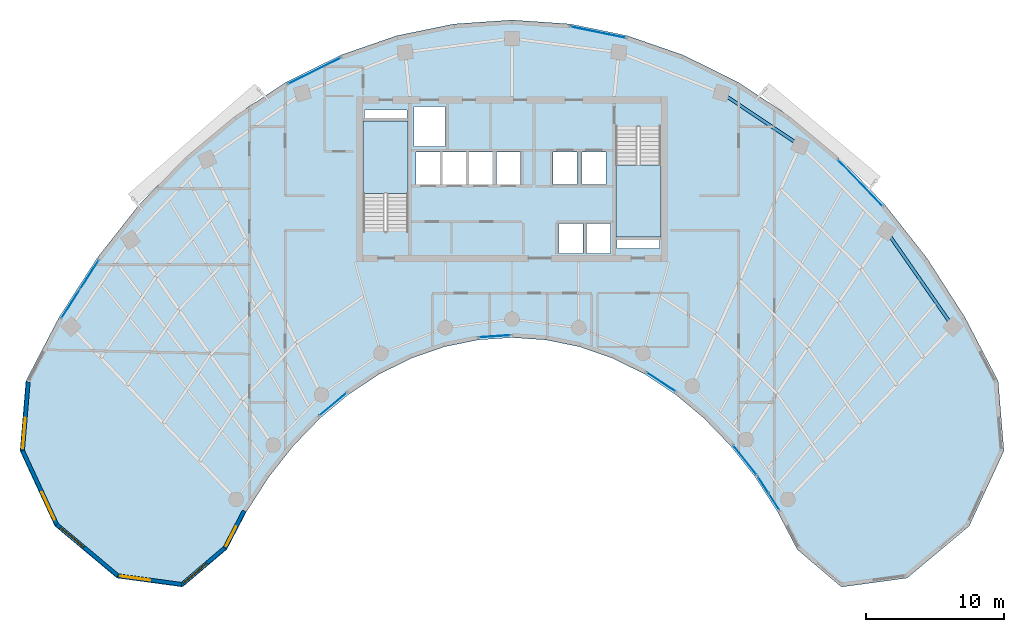
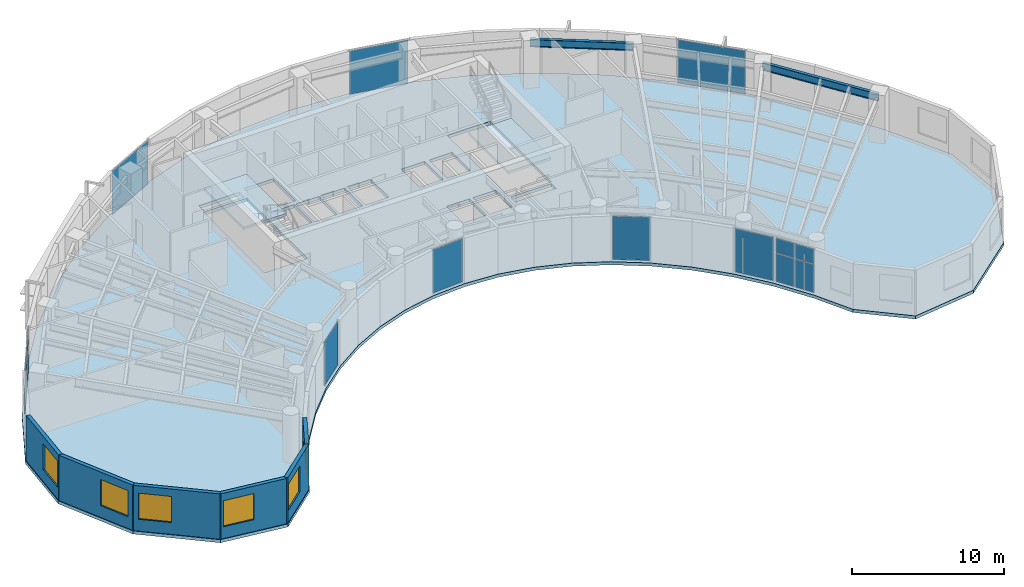
# One storey, part 6 of 13: 15 plates, 6 walls, 6 windows, 3 slabs, 2 beams, 6 openings, 11 elements without a shape of their own.
"""IFC4 building model written with IfcOpenShell, lengths in metres."""

import ifcopenshell
import ifcopenshell.guid

model = None  # the IFC model being written
_history = None  # IfcOwnerHistory: only IFC2X3 demands one
_inside = {}  # id of a spatial element -> (the spatial element, [elements in it])
_under = {}  # id of a project, library or spatial element -> (it, [spatial elements below it])
_declared = {}  # id of a project -> (the project, [libraries it declares])
_typed = {}  # id of a type object -> (the type object, [elements of that type])
_made_of = {}  # id of a material, layer set ... -> (it, [elements and type objects made of it])


def new_model(schema):
    """Start an empty IFC model of exactly this schema.

    Asked for "IFC4X3", IfcOpenShell would pick the latest addendum, in which some entities
    have other attributes; the version numbers below select the first issue.
    IFC2X3 requires an IfcOwnerHistory on every rooted entity: one is made here for all.
    """
    global model, _history
    if schema == "IFC4X3":
        model = ifcopenshell.file(schema_version=(4, 3, 0, 0))
    else:
        model = ifcopenshell.file(schema=schema)
    _inside.clear()
    _under.clear()
    _declared.clear()
    _typed.clear()
    _made_of.clear()
    _history = None
    if model.schema == "IFC2X3":
        org = make("IfcOrganization", Name="unknown")
        user = make(
            "IfcPersonAndOrganization",
            ThePerson=make("IfcPerson", FamilyName="unknown"),
            TheOrganization=org,
        )
        app = make(
            "IfcApplication",
            ApplicationDeveloper=org,
            Version="unknown",
            ApplicationFullName="unknown",
            ApplicationIdentifier="unknown",
        )
        _history = make(
            "IfcOwnerHistory",
            OwningUser=user,
            OwningApplication=app,
            ChangeAction="ADDED",
            CreationDate=0,
        )
    return model


def make(cls, **values):
    """One entity of the class cls with the attributes given. An attribute that is None is left unset."""
    return model.create_entity(
        cls, **{name: value for name, value in values.items() if value is not None}
    )


def rooted(cls, **values):
    """An entity with a GlobalId (a new one), such as an element, a storey or a relation."""
    return make(cls, GlobalId=ifcopenshell.guid.new(), OwnerHistory=_history, **values)


def si_unit(unit_type, name, prefix=None):
    """IfcSIUnit, for example si_unit("LENGTHUNIT", "METRE", prefix="MILLI")."""
    return make("IfcSIUnit", UnitType=unit_type, Prefix=prefix, Name=name)


def assignment(units):
    """IfcUnitAssignment: the units of a project."""
    return None if units is None else make("IfcUnitAssignment", Units=units)


def point(xyz):
    """IfcCartesianPoint."""
    return None if xyz is None else make("IfcCartesianPoint", Coordinates=xyz)


def direction(xyz):
    """IfcDirection."""
    return None if xyz is None else make("IfcDirection", DirectionRatios=xyz)


def frame(location, z_axis=None, x_axis=None):
    """IfcAxis2Placement3D, a coordinate frame: its origin and axes. An axis left out is left unset."""
    return make(
        "IfcAxis2Placement3D",
        Location=point(location),
        Axis=direction(z_axis),
        RefDirection=direction(x_axis),
    )


def frame_2d(location, x_axis=None):
    """IfcAxis2Placement2D, a coordinate frame in the plane: its origin and x axis."""
    return make(
        "IfcAxis2Placement2D", Location=point(location), RefDirection=direction(x_axis)
    )


def origin():
    """The frame at (0, 0, 0) with its axes left unset."""
    return frame((0.0, 0.0, 0.0))


def origin_2d():
    """The frame at (0, 0) in the plane with its x axis left unset."""
    return frame_2d((0.0, 0.0))


def place(relative_to, where):
    """IfcLocalPlacement: puts the frame where relative to a parent placement (None: the world)."""
    return make(
        "IfcLocalPlacement", PlacementRelTo=relative_to, RelativePlacement=where
    )


def context(
    kind, dimensions, precision=None, world=None, true_north=None, identifier=None
):
    """IfcGeometricRepresentationContext, for example the 3D "Model" context."""
    return make(
        "IfcGeometricRepresentationContext",
        ContextIdentifier=identifier,
        ContextType=kind,
        CoordinateSpaceDimension=dimensions,
        Precision=precision,
        WorldCoordinateSystem=world,
        TrueNorth=true_north,
    )


def subcontext(parent, identifier, kind, view, scale=None):
    """IfcGeometricRepresentationSubContext, for example "Body" below "Model"."""
    return make(
        "IfcGeometricRepresentationSubContext",
        ContextIdentifier=identifier,
        ContextType=kind,
        ParentContext=parent,
        TargetScale=scale,
        TargetView=view,
    )


def project(units=None, contexts=None):
    """IfcProject with its units and contexts."""
    return rooted(
        "IfcProject",
        Name="project",
        RepresentationContexts=contexts,
        UnitsInContext=assignment(units),
    )


def spatial(cls, under=None, at=None, **own):
    """A site, building, storey or space (cls), placed at a placement, below another one or the project."""
    s = rooted(cls, ObjectPlacement=at, **own)
    if under is not None:
        _under.setdefault(under.id(), (under, []))[1].append(s)
    return s


def polyline(points):
    """IfcPolyline through the points."""
    return make("IfcPolyline", Points=[point(p) for p in points])


def profile(cls, at=None, kind="AREA", **sizes):
    """A parametric profile (cls). Its sizes go by their IFC names, for example OverallWidth=200.0."""
    return make(cls, ProfileType=kind, Position=at, **sizes)


def rectangle(**sizes):
    """IfcRectangleProfileDef."""
    return profile("IfcRectangleProfileDef", **sizes)


def i_section(**sizes):
    """IfcIShapeProfileDef."""
    return profile("IfcIShapeProfileDef", **sizes)


def outline(outer, holes=None, kind="AREA"):
    """IfcArbitraryClosedProfileDef: a profile drawn as a closed curve; with holes, ...WithVoids."""
    if holes is None:
        return make("IfcArbitraryClosedProfileDef", ProfileType=kind, OuterCurve=outer)
    return make(
        "IfcArbitraryProfileDefWithVoids",
        ProfileType=kind,
        OuterCurve=outer,
        InnerCurves=holes,
    )


def extrude(swept, where, along, depth):
    """IfcExtrudedAreaSolid: the profile swept, set in the frame where, extruded along a direction by depth."""
    return make(
        "IfcExtrudedAreaSolid",
        SweptArea=swept,
        Position=where,
        ExtrudedDirection=direction(along),
        Depth=depth,
    )


def shape(context_of_items, identifier, shape_type, items):
    """IfcShapeRepresentation: the items that make up one representation, for example the "Body"."""
    return make(
        "IfcShapeRepresentation",
        ContextOfItems=context_of_items,
        RepresentationIdentifier=identifier,
        RepresentationType=shape_type,
        Items=items,
    )


def source(mapping_origin, context_of_items, identifier, shape_type, items):
    """IfcRepresentationMap: a shape defined once, which mapped items show again and again."""
    return make(
        "IfcRepresentationMap",
        MappingOrigin=mapping_origin,
        MappedRepresentation=shape(context_of_items, identifier, shape_type, items),
    )


def transform(
    local_origin,
    x_axis=None,
    y_axis=None,
    z_axis=None,
    scale=None,
    scale2=None,
    scale3=None,
    uniform=True,
):
    """IfcCartesianTransformationOperator3D, or its non-uniform kind. x_axis, y_axis, z_axis: its Axis1, 2, 3."""
    if uniform:
        return make(
            "IfcCartesianTransformationOperator3D",
            Axis1=direction(x_axis),
            Axis2=direction(y_axis),
            LocalOrigin=point(local_origin),
            Scale=scale,
            Axis3=direction(z_axis),
        )
    return make(
        "IfcCartesianTransformationOperator3DnonUniform",
        Axis1=direction(x_axis),
        Axis2=direction(y_axis),
        LocalOrigin=point(local_origin),
        Scale=scale,
        Axis3=direction(z_axis),
        Scale2=scale2,
        Scale3=scale3,
    )


def mapped(mapping_source, mapping_target):
    """IfcMappedItem: shows the shape of a source again, moved by a transform."""
    return make(
        "IfcMappedItem", MappingSource=mapping_source, MappingTarget=mapping_target
    )


def material(Name=None, Category=None):
    """IfcMaterial."""
    return make("IfcMaterial", Name=Name, Category=Category)


def layer(
    of_material, thickness, ventilated=None, Name=None, Category=None, Priority=None
):
    """IfcMaterialLayer: one layer of a wall or slab, of a material (None: an air gap)."""
    return make(
        "IfcMaterialLayer",
        Material=of_material,
        LayerThickness=thickness,
        IsVentilated=ventilated,
        Name=Name,
        Category=Category,
        Priority=Priority,
    )


def layer_set(layers, Name=None):
    """IfcMaterialLayerSet."""
    return make("IfcMaterialLayerSet", MaterialLayers=layers, LayerSetName=Name)


def material_profile(
    of_material, cross_section, Name=None, Category=None, Priority=None
):
    """IfcMaterialProfile: a cross section and its material."""
    return make(
        "IfcMaterialProfile",
        Name=Name,
        Material=of_material,
        Profile=cross_section,
        Priority=Priority,
        Category=Category,
    )


def profile_set(profiles, Name=None, composite=None):
    """IfcMaterialProfileSet."""
    return make(
        "IfcMaterialProfileSet",
        Name=Name,
        MaterialProfiles=profiles,
        CompositeProfile=composite,
    )


def made_of(thing, what):
    """Note that an element or type object is made of a material, layer set ...; save() writes the relation."""
    if what is not None:
        _made_of.setdefault(what.id(), (what, []))[1].append(thing)
    return thing


def type_object(cls, material=None, **own):
    """A type object (cls), such as IfcWallType, which elements share."""
    return made_of(rooted(cls, **own), material)


def type_shapes(of_type, sources):
    """Give a type object the sources (RepresentationMaps) that its elements show as mapped items."""
    of_type.RepresentationMaps = sources


def element(
    cls,
    number,
    at=None,
    inside=None,
    cuts=None,
    type_object=None,
    material=None,
    context=None,
    identifier="Body",
    shape_type=None,
    held_by="IfcProductDefinitionShape",
    body=None,
    shapes=None,
    **own,
):
    """One element of the class cls, such as IfcWall. Its Tag is "e" and its number.

    at: its placement. inside: the storey or other place that contains it. cuts: it is an
    opening in that element (IfcRelVoidsElement). A single representation is given by context,
    identifier, shape_type and body (its items); several are given by shapes. held_by: the class
    of the entity that holds the representations. save() writes the other relations.
    """
    e = rooted(cls, Tag="e%d" % number, ObjectPlacement=at, **own)
    if body is not None:
        shapes = [shape(context, identifier, shape_type, body)]
    if shapes is not None:
        e.Representation = make(held_by, Representations=shapes)
    if inside is not None:
        _inside.setdefault(inside.id(), (inside, []))[1].append(e)
    if cuts is not None:
        rooted(
            "IfcRelVoidsElement", RelatingBuildingElement=cuts, RelatedOpeningElement=e
        )
    if type_object is not None:
        _typed.setdefault(type_object.id(), (type_object, []))[1].append(e)
    return made_of(e, material)


def fill(opening, filler):
    """IfcRelFillsElement: the door or window that sits in an opening."""
    return rooted(
        "IfcRelFillsElement",
        RelatingOpeningElement=opening,
        RelatedBuildingElement=filler,
    )


def aggregate(whole, parts):
    """IfcRelAggregates: a whole, such as a stair, and the parts it consists of."""
    return rooted("IfcRelAggregates", RelatingObject=whole, RelatedObjects=parts)


def save(model, path):
    """Write the relations noted so far, then the file.

    IfcRelAggregates (storeys below a building ...), IfcRelContainedInSpatialStructure (elements
    in a storey), IfcRelDefinesByType, IfcRelAssociatesMaterial and IfcRelDeclares: one each for
    every whole, place, type object, material and project.
    """
    for whole, parts in _under.values():
        aggregate(whole, parts)
    for where, things in _inside.values():
        rooted(
            "IfcRelContainedInSpatialStructure",
            RelatedElements=things,
            RelatingStructure=where,
        )
    for kind, things in _typed.values():
        rooted("IfcRelDefinesByType", RelatedObjects=things, RelatingType=kind)
    for what, things in _made_of.values():
        rooted("IfcRelAssociatesMaterial", RelatedObjects=things, RelatingMaterial=what)
    for by, libraries in _declared.values():
        rooted("IfcRelDeclares", RelatingContext=by, RelatedDefinitions=libraries)
    model.write(path)


model = new_model("IFC4")

# Units and contexts
model_context = context("Model", 3, precision=1e-05, world=origin(), true_north=direction((0.0, 1.0)))
body_context = subcontext(model_context, "Body", "Model", "MODEL_VIEW")
ifc_project = project(units=[si_unit("LENGTHUNIT", "METRE"), si_unit("AREAUNIT", "SQUARE_METRE"), si_unit("VOLUMEUNIT", "CUBIC_METRE"), si_unit("PLANEANGLEUNIT", "RADIAN"), si_unit("MASSUNIT", "GRAM", prefix="KILO")], contexts=[model_context])

# Site, building, storey
site_placement = place(None, origin())
site = spatial("IfcSite", under=ifc_project, at=site_placement, CompositionType="ELEMENT")
building_placement = place(site_placement, origin())
building = spatial("IfcBuilding", under=site, at=building_placement, Name="Breltana Convention Tower", CompositionType="ELEMENT")
storey_placement = place(building_placement, frame((0.0, 0.0, 166.199951171875)))
storey = spatial("IfcBuildingStorey", under=building, at=storey_placement, Name="L40", CompositionType="ELEMENT", Elevation=166.199951171875)

# Beams
ifc_material_1 = material(Name="Steel ASTM A992 Grade 50", Category="steel")
ifc_material_profile = material_profile(ifc_material_1, i_section(OverallWidth=0.22802734375, OverallDepth=0.60791015625, WebThickness=0.01123046875, FlangeThickness=0.017333984375, at=origin_2d()), Name="W24X76")
ifc_profile_set = profile_set([ifc_material_profile], Name="Steel ASTM A992 Grade 50")
beam_type = type_object("IfcBeamType", Name="BM-SP-W24X76", PredefinedType="SPANDREL", material=ifc_profile_set)
shared_shape_1 = source(origin(), body_context, "Body", "SweptSolid", [
    extrude(i_section(OverallWidth=0.22802734375, OverallDepth=0.60791015625, WebThickness=0.01123046875, FlangeThickness=0.017333984375, at=origin_2d()), origin(), (0.0, 0.0, 1.0), 6.856689453125),
])
beam_1_placement = place(storey_placement, frame((63.208984375, 72.4423828125, 3.345947265625), z_axis=(0.83150210718, -0.55552159792, 0.0), x_axis=(0.55552159792, 0.83150210718, 0.0)))
element("IfcBeam", 1, at=beam_1_placement, inside=storey, type_object=beam_type, Name="L40 Outer Spandrel Beam 08", PredefinedType="SPANDREL", context=body_context, shape_type="MappedRepresentation", body=[
    mapped(shared_shape_1, transform((0.0, 0.0, 0.0), scale=1.0)),
])
shared_shape_2 = source(origin(), body_context, "Body", "SweptSolid", [
    extrude(i_section(OverallWidth=0.22802734375, OverallDepth=0.60791015625, WebThickness=0.01123046875, FlangeThickness=0.017333984375, at=origin_2d()), origin(), (0.0, 0.0, 1.0), 8.44970703125),
])
beam_2_placement = place(storey_placement, frame((75.166748046875, 62.43017578125, 3.345947265625), z_axis=(0.5711855381, -0.820820979913, 0.0), x_axis=(0.820820979913, 0.5711855381, 0.0)))
element("IfcBeam", 2, at=beam_2_placement, inside=storey, type_object=beam_type, Name="L40 Outer Spandrel Beam 10", PredefinedType="SPANDREL", context=body_context, shape_type="MappedRepresentation", body=[
    mapped(shared_shape_2, transform((0.0, 0.0, 0.0), scale=1.0)),
])

# Slab
ifc_material_2 = material(Name="Concrete C40/50", Category="concrete")
ifc_layer_1 = layer(ifc_material_2, 0.25, Name="Concrete C40/50")
ifc_layer_set_1 = layer_set([ifc_layer_1], Name="Concrete C40/50")
slab_type_1 = type_object("IfcSlabType", Name="SL-OFF-250", PredefinedType="FLOOR", material=ifc_layer_set_1)
slab_1_placement = place(storey_placement, frame((0.0, 0.0, -0.25)))
element("IfcSlab", 3, at=slab_1_placement, inside=storey, type_object=slab_type_1, Name="L40 Suspended Structural Floor Slab", PredefinedType="FLOOR", context=body_context, shape_type="SweptSolid", body=[
    extrude(outline(polyline([(83.27880859375, 51.539794921875), (80.870361328125, 56.166015625), (78.12548828125, 60.442138671875), (75.072265625, 64.32470703125), (71.74169921875, 67.774169921875), (68.168212890625, 70.7548828125), (64.387939453125, 73.236328125), (60.440185546875, 75.193115234375), (56.36474609375, 76.60546875), (52.203857421875, 77.45849609375), (48.0, 77.743896484375), (43.796142578125, 77.45849609375), (39.63525390625, 76.60546875), (35.559814453125, 75.193115234375), (31.612060546875, 73.236328125), (27.831787109375, 70.7548828125), (24.25830078125, 67.774169921875), (20.927734375, 64.32470703125), (17.87451171875, 60.442138671875), (15.129638671875, 56.166015625), (12.72119140625, 51.539794921875), (12.298095703125, 46.4794921875), (14.822509765625, 41.019287109375), (19.329833984375, 37.2451171875), (24.098876953125, 36.598388671875), (27.3076171875, 39.326171875), (28.72021484375, 42.03955078125), (30.330078125, 44.5478515625), (32.12109375, 46.8251953125), (34.07470703125, 48.848388671875), (36.170654296875, 50.5966796875), (38.3876953125, 52.052001953125), (40.703369140625, 53.19970703125), (43.09375, 54.0283203125), (45.5341796875, 54.528564453125), (48.0, 54.696044921875), (50.4658203125, 54.528564453125), (52.90625, 54.0283203125), (55.296630859375, 53.19970703125), (57.6123046875, 52.052001953125), (59.829345703125, 50.5966796875), (61.92529296875, 48.848388671875), (63.87890625, 46.8251953125), (65.669921875, 44.5478515625), (67.27978515625, 42.03955078125), (68.6923828125, 39.326171875), (71.901123046875, 36.598388671875), (76.670166015625, 37.2451171875), (81.177490234375, 41.019287109375), (83.701904296875, 46.4794921875), (83.27880859375, 51.539794921875)]), holes=[polyline([(37.199951171875, 62.385009765625), (40.469970703125, 62.385009765625), (40.469970703125, 70.39990234375), (37.199951171875, 70.39990234375), (37.199951171875, 62.385009765625)]), polyline([(55.530029296875, 62.0), (58.800048828125, 62.0), (58.800048828125, 70.014892578125), (55.530029296875, 70.014892578125), (55.530029296875, 62.0)]), polyline([(51.39990234375, 60.800048828125), (53.159912109375, 60.800048828125), (53.159912109375, 62.97998046875), (51.39990234375, 62.97998046875), (51.39990234375, 60.800048828125)]), polyline([(53.39990234375, 60.800048828125), (55.159912109375, 60.800048828125), (55.159912109375, 62.97998046875), (53.39990234375, 62.97998046875), (53.39990234375, 60.800048828125)]), polyline([(41.0400390625, 65.820068359375), (42.800048828125, 65.820068359375), (42.800048828125, 68.179931640625), (41.0400390625, 68.179931640625), (41.0400390625, 65.820068359375)]), polyline([(42.93994140625, 65.820068359375), (44.699951171875, 65.820068359375), (44.699951171875, 68.179931640625), (42.93994140625, 68.179931640625), (42.93994140625, 65.820068359375)]), polyline([(44.8701171875, 65.820068359375), (46.6298828125, 65.820068359375), (46.6298828125, 68.179931640625), (44.8701171875, 68.179931640625), (44.8701171875, 65.820068359375)]), polyline([(46.8701171875, 65.820068359375), (48.6298828125, 65.820068359375), (48.6298828125, 68.179931640625), (46.8701171875, 68.179931640625), (46.8701171875, 65.820068359375)]), polyline([(50.969970703125, 65.800048828125), (52.72998046875, 65.800048828125), (52.72998046875, 68.179931640625), (50.969970703125, 68.179931640625), (50.969970703125, 65.800048828125)]), polyline([(53.070068359375, 65.800048828125), (54.830078125, 65.800048828125), (54.830078125, 68.179931640625), (53.070068359375, 68.179931640625), (53.070068359375, 65.800048828125)]), polyline([(40.8798828125, 68.550048828125), (43.1201171875, 68.550048828125), (43.1201171875, 71.449951171875), (40.8798828125, 71.449951171875), (40.8798828125, 68.550048828125)]), polyline([(37.300048828125, 70.60009765625), (40.3798828125, 70.60009765625), (40.3798828125, 71.219970703125), (37.300048828125, 71.219970703125), (37.300048828125, 70.60009765625)]), polyline([(55.6201171875, 61.179931640625), (58.699951171875, 61.179931640625), (58.699951171875, 61.800048828125), (55.6201171875, 61.800048828125), (55.6201171875, 61.179931640625)])]), origin(), (0.0, 0.0, 1.0), 0.25),
])

# Stair, slab
stair_type = type_object("IfcStairType", Name="ST-DOG-1560-R177", PredefinedType="HALF_TURN_STAIR", material=ifc_material_2)
stair_1_placement = place(storey_placement, origin())
stair_1 = element("IfcStair", 4, at=stair_1_placement, inside=storey, type_object=stair_type, Name="L40 Protected Core Exit Stair ST-1", PredefinedType="HALF_TURN_STAIR")
ifc_layer_2 = layer(ifc_material_2, 0.199951171875, Name="Concrete C40/50")
ifc_layer_set_2 = layer_set([ifc_layer_2], Name="Concrete C40/50")
slab_type_2 = type_object("IfcSlabType", Name="SL-STAIR-LANDING-200", PredefinedType="LANDING", material=ifc_layer_set_2)
slab_2_placement = place(storey_placement, frame((0.0, 0.0, 1.75)))
slab_2 = element("IfcSlab", 5, at=slab_2_placement, type_object=slab_type_2, Name="ST-1 landing 1", PredefinedType="LANDING", context=body_context, shape_type="SweptSolid", body=[
    extrude(outline(polyline([(40.469970703125, 65.159912109375), (40.469970703125, 70.39990234375), (37.199951171875, 70.39990234375), (37.199951171875, 65.159912109375), (40.469970703125, 65.159912109375)])), origin(), (0.0, 0.0, 1.0), 0.199951171875),
])
aggregate(stair_1, [slab_2])

stair_2_placement = place(storey_placement, origin())
stair_2 = element("IfcStair", 6, at=stair_2_placement, inside=storey, type_object=stair_type, Name="L40 Protected Core Exit Stair ST-2", PredefinedType="HALF_TURN_STAIR")
slab_3_placement = place(storey_placement, frame((0.0, 0.0, 1.75)))
slab_3 = element("IfcSlab", 7, at=slab_3_placement, type_object=slab_type_2, Name="ST-2 landing 1", PredefinedType="LANDING", context=body_context, shape_type="SweptSolid", body=[
    extrude(outline(polyline([(55.530029296875, 67.239990234375), (55.530029296875, 62.0), (58.800048828125, 62.0), (58.800048828125, 67.239990234375), (55.530029296875, 67.239990234375)])), origin(), (0.0, 0.0, 1.0), 0.199951171875),
])
aggregate(stair_2, [slab_3])

# Curtain wall, plates
ifc_material_3 = material(Name="Aluminium Anodised Bronze Frame", Category="aluminium")
ifc_layer_3 = layer(ifc_material_3, 0.18994140625, Name="Aluminium Anodised Bronze Frame")
ifc_layer_set_3 = layer_set([ifc_layer_3], Name="Aluminium Anodised Bronze Frame")
curtain_wall_type_1 = type_object("IfcCurtainWallType", Name="CW-SYS-1", PredefinedType="NOTDEFINED", material=ifc_layer_set_3)
curtain_wall_1_placement = place(storey_placement, origin())
curtain_wall_1 = element("IfcCurtainWall", 8, at=curtain_wall_1_placement, inside=storey, type_object=curtain_wall_type_1, Name="L40 inner south-court glazing 1", PredefinedType="NOTDEFINED")
ifc_material_4 = material(Name="Glass Low-E Double Glazing", Category="glass")
ifc_layer_4 = layer(ifc_material_4, 0.028076171875, Name="Glass Low-E Double Glazing")
ifc_layer_set_4 = layer_set([ifc_layer_4], Name="Glass Low-E Double Glazing")
plate_type = type_object("IfcPlateType", Name="CWP-IGU-28", PredefinedType="CURTAIN_PANEL", material=ifc_layer_set_4)
shared_shape_3 = source(origin(), body_context, "Body", "SweptSolid", [
    extrude(rectangle(XDim=1.3701171875, YDim=0.028076171875, at=origin_2d()), origin(), (0.0, 0.0, 1.0), 2.25244140625),
])
plate_1_placement = place(storey_placement, frame((67.01806640625, 42.78076171875, 0.080078125), z_axis=(0.0, 0.0, 1.0), x_axis=(-0.540184298954, 0.841546744491, 0.0)))
plate_1 = element("IfcPlate", 9, at=plate_1_placement, type_object=plate_type, Name="CW-01 panel 1.1", PredefinedType="CURTAIN_PANEL", context=body_context, shape_type="MappedRepresentation", body=[
    mapped(shared_shape_3, transform((0.0, 0.0, 0.0), scale=1.0)),
])
plate_2_placement = place(storey_placement, frame((66.234619140625, 44.001220703125, 0.080078125), z_axis=(0.0, 0.0, 1.0), x_axis=(-0.540184298954, 0.841546744491, 0.0)))
plate_2 = element("IfcPlate", 10, at=plate_2_placement, type_object=plate_type, Name="CW-01 panel 2.1", PredefinedType="CURTAIN_PANEL", context=body_context, shape_type="MappedRepresentation", body=[
    mapped(shared_shape_3, transform((0.0, 0.0, 0.0), scale=1.0)),
])
shared_shape_4 = source(origin(), body_context, "Body", "SweptSolid", [
    extrude(rectangle(XDim=1.3701171875, YDim=0.028076171875, at=origin_2d()), origin(), (0.0, 0.0, 1.0), 1.157470703125),
])
plate_3_placement = place(storey_placement, frame((67.01806640625, 42.78076171875, 2.41259765625), z_axis=(0.0, 0.0, 1.0), x_axis=(-0.540184298954, 0.841546744491, 0.0)))
plate_3 = element("IfcPlate", 11, at=plate_3_placement, type_object=plate_type, Name="CW-01 panel 1.2", PredefinedType="CURTAIN_PANEL", context=body_context, shape_type="MappedRepresentation", body=[
    mapped(shared_shape_4, transform((0.0, 0.0, 0.0), scale=1.0)),
])
plate_4_placement = place(storey_placement, frame((66.234619140625, 44.001220703125, 2.41259765625), z_axis=(0.0, 0.0, 1.0), x_axis=(-0.540184298954, 0.841546744491, 0.0)))
plate_4 = element("IfcPlate", 12, at=plate_4_placement, type_object=plate_type, Name="CW-01 panel 2.2", PredefinedType="CURTAIN_PANEL", context=body_context, shape_type="MappedRepresentation", body=[
    mapped(shared_shape_4, transform((0.0, 0.0, 0.0), scale=1.0)),
])
aggregate(curtain_wall_1, [plate_1, plate_3, plate_2, plate_4])

# Curtain wall, plate
curtain_wall_2_placement = place(storey_placement, origin())
curtain_wall_2 = element("IfcCurtainWall", 13, at=curtain_wall_2_placement, inside=storey, type_object=curtain_wall_type_1, Name="L40 inner south-court glazing 2", PredefinedType="NOTDEFINED")
shared_shape_5 = source(origin(), body_context, "Body", "SweptSolid", [
    extrude(rectangle(XDim=2.737060546875, YDim=0.028076171875, at=origin_2d()), origin(), (0.0, 0.0, 1.0), 3.489990234375),
])
plate_5_placement = place(storey_placement, frame((64.915771484375, 45.7978515625, 0.080078125), z_axis=(0.0, 0.0, 1.0), x_axis=(-0.618161435717, 0.786051168431, 0.0)))
plate_5 = element("IfcPlate", 14, at=plate_5_placement, type_object=plate_type, Name="CW-01 panel 1.1", PredefinedType="CURTAIN_PANEL", context=body_context, shape_type="MappedRepresentation", body=[
    mapped(shared_shape_5, transform((0.0, 0.0, 0.0), scale=1.0)),
])
aggregate(curtain_wall_2, [plate_5])

curtain_wall_3_placement = place(storey_placement, origin())
curtain_wall_3 = element("IfcCurtainWall", 15, at=curtain_wall_3_placement, inside=storey, type_object=curtain_wall_type_1, Name="L40 inner south-court glazing 3", PredefinedType="NOTDEFINED")
shared_shape_6 = source(origin(), body_context, "Body", "SweptSolid", [
    extrude(rectangle(XDim=2.4921875, YDim=0.028076171875, at=origin_2d()), origin(), (0.0, 0.0, 1.0), 3.489990234375),
])
plate_6_placement = place(storey_placement, frame((58.819580078125, 51.474853515625, 0.080078125), z_axis=(0.0, 0.0, 1.0), x_axis=(-0.835985210307, 0.548751973252, 0.0)))
plate_6 = element("IfcPlate", 16, at=plate_6_placement, type_object=plate_type, Name="CW-01 panel 1.1", PredefinedType="CURTAIN_PANEL", context=body_context, shape_type="MappedRepresentation", body=[
    mapped(shared_shape_6, transform((0.0, 0.0, 0.0), scale=1.0)),
])
aggregate(curtain_wall_3, [plate_6])

curtain_wall_4_placement = place(storey_placement, origin())
curtain_wall_4 = element("IfcCurtainWall", 17, at=curtain_wall_4_placement, inside=storey, type_object=curtain_wall_type_1, Name="L40 inner south-court glazing 4", PredefinedType="NOTDEFINED")
shared_shape_7 = source(origin(), body_context, "Body", "SweptSolid", [
    extrude(rectangle(XDim=2.3115234375, YDim=0.028076171875, at=origin_2d()), origin(), (0.0, 0.0, 1.0), 3.489990234375),
])
plate_7_placement = place(storey_placement, frame((46.7548828125, 54.7919921875, 0.080078125), z_axis=(0.0, 0.0, 1.0), x_axis=(-0.997703496195, -0.067732810965, 0.0)))
plate_7 = element("IfcPlate", 18, at=plate_7_placement, type_object=plate_type, Name="CW-01 panel 1.1", PredefinedType="CURTAIN_PANEL", context=body_context, shape_type="MappedRepresentation", body=[
    mapped(shared_shape_7, transform((0.0, 0.0, 0.0), scale=1.0)),
])
aggregate(curtain_wall_4, [plate_7])

curtain_wall_5_placement = place(storey_placement, origin())
curtain_wall_5 = element("IfcCurtainWall", 19, at=curtain_wall_5_placement, inside=storey, type_object=curtain_wall_type_1, Name="L40 inner south-court glazing 5", PredefinedType="NOTDEFINED")
shared_shape_8 = source(origin(), body_context, "Body", "SweptSolid", [
    extrude(rectangle(XDim=2.5693359375, YDim=0.028076171875, at=origin_2d()), origin(), (0.0, 0.0, 1.0), 3.489990234375),
])
plate_8_placement = place(storey_placement, frame((35.00732421875, 49.860595703125, 0.080078125), z_axis=(0.0, 0.0, 1.0), x_axis=(-0.767926895316, -0.640537495741, 0.0)))
plate_8 = element("IfcPlate", 20, at=plate_8_placement, type_object=plate_type, Name="CW-01 panel 1.1", PredefinedType="CURTAIN_PANEL", context=body_context, shape_type="MappedRepresentation", body=[
    mapped(shared_shape_8, transform((0.0, 0.0, 0.0), scale=1.0)),
])
aggregate(curtain_wall_5, [plate_8])

# Curtain wall, plates
ifc_layer_5 = layer(ifc_material_3, 0.2099609375, Name="Aluminium Anodised Bronze Frame")
ifc_layer_set_5 = layer_set([ifc_layer_5], Name="Aluminium Anodised Bronze Frame")
curtain_wall_type_2 = type_object("IfcCurtainWallType", Name="CW-SYS-3", PredefinedType="NOTDEFINED", material=ifc_layer_set_5)
curtain_wall_6_placement = place(storey_placement, origin())
curtain_wall_6 = element("IfcCurtainWall", 21, at=curtain_wall_6_placement, inside=storey, type_object=curtain_wall_type_2, Name="L40 outer double-skin inner glazing 1", PredefinedType="NOTDEFINED")
shared_shape_9 = source(origin(), body_context, "Body", "SweptSolid", [
    extrude(rectangle(XDim=2.42724609375, YDim=0.028076171875, at=origin_2d()), origin(), (0.0, 0.0, 1.0), 2.25244140625),
])
plate_9_placement = place(storey_placement, frame((15.97900390625, 57.15576171875, 0.080078125), z_axis=(0.0, 0.0, 1.0), x_axis=(0.54017267843, 0.841554203529, 0.0)))
plate_9 = element("IfcPlate", 22, at=plate_9_placement, type_object=plate_type, Name="CW-03 panel 1.1", PredefinedType="CURTAIN_PANEL", context=body_context, shape_type="MappedRepresentation", body=[
    mapped(shared_shape_9, transform((0.0, 0.0, 0.0), scale=1.0)),
])
plate_10_placement = place(storey_placement, frame((17.327880859375, 59.25732421875, 0.080078125), z_axis=(0.0, 0.0, 1.0), x_axis=(0.54017267843, 0.841554203529, 0.0)))
plate_10 = element("IfcPlate", 23, at=plate_10_placement, type_object=plate_type, Name="CW-03 panel 2.1", PredefinedType="CURTAIN_PANEL", context=body_context, shape_type="MappedRepresentation", body=[
    mapped(shared_shape_9, transform((0.0, 0.0, 0.0), scale=1.0)),
])
shared_shape_10 = source(origin(), body_context, "Body", "SweptSolid", [
    extrude(rectangle(XDim=2.42724609375, YDim=0.028076171875, at=origin_2d()), origin(), (0.0, 0.0, 1.0), 1.157470703125),
])
plate_11_placement = place(storey_placement, frame((15.97900390625, 57.15576171875, 2.41259765625), z_axis=(0.0, 0.0, 1.0), x_axis=(0.54017267843, 0.841554203529, 0.0)))
plate_11 = element("IfcPlate", 24, at=plate_11_placement, type_object=plate_type, Name="CW-03 panel 1.2", PredefinedType="CURTAIN_PANEL", context=body_context, shape_type="MappedRepresentation", body=[
    mapped(shared_shape_10, transform((0.0, 0.0, 0.0), scale=1.0)),
])
plate_12_placement = place(storey_placement, frame((17.327880859375, 59.25732421875, 2.41259765625), z_axis=(0.0, 0.0, 1.0), x_axis=(0.54017267843, 0.841554203529, 0.0)))
plate_12 = element("IfcPlate", 25, at=plate_12_placement, type_object=plate_type, Name="CW-03 panel 2.2", PredefinedType="CURTAIN_PANEL", context=body_context, shape_type="MappedRepresentation", body=[
    mapped(shared_shape_10, transform((0.0, 0.0, 0.0), scale=1.0)),
])
aggregate(curtain_wall_6, [plate_9, plate_11, plate_10, plate_12])

# Curtain wall, plate
curtain_wall_7_placement = place(storey_placement, origin())
curtain_wall_7 = element("IfcCurtainWall", 26, at=curtain_wall_7_placement, inside=storey, type_object=curtain_wall_type_2, Name="L40 outer double-skin inner glazing 2", PredefinedType="NOTDEFINED")
shared_shape_11 = source(origin(), body_context, "Body", "SweptSolid", [
    extrude(rectangle(XDim=4.243896484375, YDim=0.028076171875, at=origin_2d()), origin(), (0.0, 0.0, 1.0), 3.489990234375),
])
plate_13_placement = place(storey_placement, frame((33.665771484375, 74.053466796875, 0.080078125), z_axis=(0.0, 0.0, 1.0), x_axis=(0.895968385619, 0.444117835682, 0.0)))
plate_13 = element("IfcPlate", 27, at=plate_13_placement, type_object=plate_type, Name="CW-03 panel 1.1", PredefinedType="CURTAIN_PANEL", context=body_context, shape_type="MappedRepresentation", body=[
    mapped(shared_shape_11, transform((0.0, 0.0, 0.0), scale=1.0)),
])
aggregate(curtain_wall_7, [plate_13])

curtain_wall_8_placement = place(storey_placement, origin())
curtain_wall_8 = element("IfcCurtainWall", 28, at=curtain_wall_8_placement, inside=storey, type_object=curtain_wall_type_2, Name="L40 outer double-skin inner glazing 3", PredefinedType="NOTDEFINED")
shared_shape_12 = source(origin(), body_context, "Body", "SweptSolid", [
    extrude(rectangle(XDim=4.08349609375, YDim=0.028076171875, at=origin_2d()), origin(), (0.0, 0.0, 1.0), 3.489990234375),
])
plate_14_placement = place(storey_placement, frame((54.248291015625, 76.855712890625, 0.080078125), z_axis=(0.0, 0.0, 1.0), x_axis=(0.979616560993, -0.200876562668, 0.0)))
plate_14 = element("IfcPlate", 29, at=plate_14_placement, type_object=plate_type, Name="CW-03 panel 1.1", PredefinedType="CURTAIN_PANEL", context=body_context, shape_type="MappedRepresentation", body=[
    mapped(shared_shape_12, transform((0.0, 0.0, 0.0), scale=1.0)),
])
aggregate(curtain_wall_8, [plate_14])

curtain_wall_9_placement = place(storey_placement, origin())
curtain_wall_9 = element("IfcCurtainWall", 30, at=curtain_wall_9_placement, inside=storey, type_object=curtain_wall_type_2, Name="L40 outer double-skin inner glazing 4", PredefinedType="NOTDEFINED")
shared_shape_13 = source(origin(), body_context, "Body", "SweptSolid", [
    extrude(rectangle(XDim=4.635986328125, YDim=0.028076171875, at=origin_2d()), origin(), (0.0, 0.0, 1.0), 3.489990234375),
])
plate_15_placement = place(storey_placement, frame((73.277587890625, 65.92431640625, 0.080078125), z_axis=(0.0, 0.0, 1.0), x_axis=(0.694602734297, -0.719393523398, 0.0)))
plate_15 = element("IfcPlate", 31, at=plate_15_placement, type_object=plate_type, Name="CW-03 panel 1.1", PredefinedType="CURTAIN_PANEL", context=body_context, shape_type="MappedRepresentation", body=[
    mapped(shared_shape_13, transform((0.0, 0.0, 0.0), scale=1.0)),
])
aggregate(curtain_wall_9, [plate_15])

# Wall, opening, window
ifc_material_5 = material(Name="Limestone Buff Insulated Wall", Category="masonry")
ifc_layer_6 = layer(ifc_material_5, 0.280029296875, Name="Limestone Buff Insulated Wall")
ifc_layer_set_6 = layer_set([ifc_layer_6], Name="Limestone Buff Insulated Wall")
wall_type = type_object("IfcWallType", Name="WL-EXT-NOSE-280", PredefinedType="SOLIDWALL", material=ifc_layer_set_6)
shared_shape_14 = source(origin(), body_context, "Body", "SweptSolid", [
    extrude(rectangle(XDim=4.994384765625, YDim=0.280029296875, at=frame_2d((2.4970703125, 0.0))), origin(), (0.0, 0.0, 1.0), 3.650146484375),
])
wall_1_placement = place(storey_placement, frame((12.4814453125, 46.51171875, 0.0), z_axis=(0.0, 0.0, 1.0), x_axis=(0.083344839916, 0.996520766296, 0.0)))
wall_1 = element("IfcWall", 32, at=wall_1_placement, inside=storey, type_object=wall_type, Name="L40 curved limestone nose wall W6", PredefinedType="SOLIDWALL", context=body_context, shape_type="MappedRepresentation", body=[
    mapped(shared_shape_14, transform((0.0, 0.0, 0.0), scale=1.0)),
])
opening_1_placement = place(wall_1_placement, frame((0.159912109375, 0.0, 0.949951171875)))
opening_1 = element("IfcOpeningElement", 33, at=opening_1_placement, cuts=wall_1, Name="Opening W-03", PredefinedType="OPENING", context=body_context, shape_type="SweptSolid", body=[
    extrude(rectangle(XDim=2.199951171875, YDim=2.10009765625, at=frame_2d((1.10009765625, 1.050048828125))), frame((0.0, 0.14990234375, 0.0), z_axis=(0.0, -1.0, 0.0), x_axis=(1.0, 0.0, 0.0)), (0.0, 0.0, 1.0), 0.300048828125),
])
ifc_material_6 = material(Name="Glass Low-E Insulated Window", Category="glass")
window_type_1 = type_object("IfcWindowType", Name="WN-NOSE-2200X2100", PartitioningType="TRIPLE_PANEL_VERTICAL", PredefinedType="WINDOW", material=ifc_material_6)
shared_shape_15 = source(origin(), body_context, "Body", "SweptSolid", [
    extrude(rectangle(XDim=2.199951171875, YDim=2.10009765625, at=frame_2d((1.10009765625, 1.050048828125))), frame((0.0, 0.030029296875, 0.0), z_axis=(0.0, -1.0, 0.0), x_axis=(1.0, 0.0, 0.0)), (0.0, 0.0, 1.0), 0.06005859375),
])
type_shapes(window_type_1, [shared_shape_15])
window_1_placement = place(opening_1_placement, origin())
window_1 = element("IfcWindow", 34, at=window_1_placement, inside=storey, type_object=window_type_1, Name="L40 nose window W6", OverallHeight=2.10009765625, OverallWidth=2.199951171875, PartitioningType="TRIPLE_PANEL_VERTICAL", PredefinedType="WINDOW", context=body_context, shape_type="MappedRepresentation", body=[
    mapped(shared_shape_15, transform((0.0, 0.0, 0.0), scale=1.0)),
])
fill(opening_1, window_1)

shared_shape_16 = source(origin(), body_context, "Body", "SweptSolid", [
    extrude(rectangle(XDim=5.927490234375, YDim=0.280029296875, at=frame_2d((2.9638671875, 0.0))), origin(), (0.0, 0.0, 1.0), 3.650146484375),
])
wall_2_placement = place(storey_placement, frame((14.968994140625, 41.13134765625, 0.0), z_axis=(0.0, 0.0, 1.0), x_axis=(-0.419656204795, 0.907683132914, 0.0)))
wall_2 = element("IfcWall", 35, at=wall_2_placement, inside=storey, type_object=wall_type, Name="L40 curved limestone nose wall W5", PredefinedType="SOLIDWALL", context=body_context, shape_type="MappedRepresentation", body=[
    mapped(shared_shape_16, transform((0.0, 0.0, 0.0), scale=1.0)),
])
opening_2_placement = place(wall_2_placement, frame((0.3818359375, 0.0, 0.949951171875)))
opening_2 = element("IfcOpeningElement", 36, at=opening_2_placement, cuts=wall_2, Name="Opening W-03", PredefinedType="OPENING", context=body_context, shape_type="SweptSolid", body=[
    extrude(rectangle(XDim=2.199951171875, YDim=2.10009765625, at=frame_2d((1.10009765625, 1.050048828125))), frame((0.0, 0.14990234375, 0.0), z_axis=(0.0, -1.0, 0.0), x_axis=(1.0, 0.0, 0.0)), (0.0, 0.0, 1.0), 0.300048828125),
])
window_2_placement = place(opening_2_placement, origin())
window_2 = element("IfcWindow", 37, at=window_2_placement, inside=storey, type_object=window_type_1, Name="L40 nose window W5", OverallHeight=2.10009765625, OverallWidth=2.199951171875, PartitioningType="TRIPLE_PANEL_VERTICAL", PredefinedType="WINDOW", context=body_context, shape_type="MappedRepresentation", body=[
    mapped(shared_shape_15, transform((0.0, 0.0, 0.0), scale=1.0)),
])
fill(opening_2, window_2)

shared_shape_17 = source(origin(), body_context, "Body", "SweptSolid", [
    extrude(rectangle(XDim=5.786376953125, YDim=0.280029296875, at=frame_2d((2.89306640625, 0.0))), origin(), (0.0, 0.0, 1.0), 3.650146484375),
])
wall_3_placement = place(storey_placement, frame((19.405517578125, 37.41650390625, 0.0), z_axis=(0.0, 0.0, 1.0), x_axis=(-0.766711306852, 0.641992034176, 0.0)))
wall_3 = element("IfcWall", 38, at=wall_3_placement, inside=storey, type_object=wall_type, Name="L40 curved limestone nose wall W4", PredefinedType="SOLIDWALL", context=body_context, shape_type="MappedRepresentation", body=[
    mapped(shared_shape_17, transform((0.0, 0.0, 0.0), scale=1.0)),
])
opening_3_placement = place(wall_3_placement, frame((3.239990234375, 0.0, 0.949951171875)))
opening_3 = element("IfcOpeningElement", 39, at=opening_3_placement, cuts=wall_3, Name="Opening W-03", PredefinedType="OPENING", context=body_context, shape_type="SweptSolid", body=[
    extrude(rectangle(XDim=2.199951171875, YDim=2.10009765625, at=frame_2d((1.10009765625, 1.050048828125))), frame((0.0, 0.14990234375, 0.0), z_axis=(0.0, -1.0, 0.0), x_axis=(1.0, 0.0, 0.0)), (0.0, 0.0, 1.0), 0.300048828125),
])
window_3_placement = place(opening_3_placement, origin())
window_3 = element("IfcWindow", 40, at=window_3_placement, inside=storey, type_object=window_type_1, Name="L40 nose window W4", OverallHeight=2.10009765625, OverallWidth=2.199951171875, PartitioningType="TRIPLE_PANEL_VERTICAL", PredefinedType="WINDOW", context=body_context, shape_type="MappedRepresentation", body=[
    mapped(shared_shape_15, transform((0.0, 0.0, 0.0), scale=1.0)),
])
fill(opening_3, window_3)

shared_shape_18 = source(origin(), body_context, "Body", "SweptSolid", [
    extrude(rectangle(XDim=4.680419921875, YDim=0.280029296875, at=frame_2d((2.34033203125, 0.0))), origin(), (0.0, 0.0, 1.0), 3.650146484375),
])
wall_4_placement = place(storey_placement, frame((24.04345703125, 36.78759765625, 0.0), z_axis=(0.0, 0.0, 1.0), x_axis=(-0.990931146435, 0.134370618162, 0.0)))
wall_4 = element("IfcWall", 41, at=wall_4_placement, inside=storey, type_object=wall_type, Name="L40 curved limestone nose wall W3", PredefinedType="SOLIDWALL", context=body_context, shape_type="MappedRepresentation", body=[
    mapped(shared_shape_18, transform((0.0, 0.0, 0.0), scale=1.0)),
])
opening_4_placement = place(wall_4_placement, frame((2.3203125, 0.0, 0.949951171875)))
opening_4 = element("IfcOpeningElement", 42, at=opening_4_placement, cuts=wall_4, Name="Opening W-03", PredefinedType="OPENING", context=body_context, shape_type="SweptSolid", body=[
    extrude(rectangle(XDim=2.199951171875, YDim=2.10009765625, at=frame_2d((1.10009765625, 1.050048828125))), frame((0.0, 0.14990234375, 0.0), z_axis=(0.0, -1.0, 0.0), x_axis=(1.0, 0.0, 0.0)), (0.0, 0.0, 1.0), 0.300048828125),
])
window_4_placement = place(opening_4_placement, origin())
window_4 = element("IfcWindow", 43, at=window_4_placement, inside=storey, type_object=window_type_1, Name="L40 nose window W3", OverallHeight=2.10009765625, OverallWidth=2.199951171875, PartitioningType="TRIPLE_PANEL_VERTICAL", PredefinedType="WINDOW", context=body_context, shape_type="MappedRepresentation", body=[
    mapped(shared_shape_15, transform((0.0, 0.0, 0.0), scale=1.0)),
])
fill(opening_4, window_4)

shared_shape_19 = source(origin(), body_context, "Body", "SweptSolid", [
    extrude(rectangle(XDim=4.095947265625, YDim=0.280029296875, at=frame_2d((2.0478515625, 0.0))), origin(), (0.0, 0.0, 1.0), 3.650146484375),
])
wall_5_placement = place(storey_placement, frame((27.164306640625, 39.4404296875, 0.0), z_axis=(0.0, 0.0, 1.0), x_axis=(-0.761926081737, -0.647663991564, 0.0)))
wall_5 = element("IfcWall", 44, at=wall_5_placement, inside=storey, type_object=wall_type, Name="L40 curved limestone nose wall W2", PredefinedType="SOLIDWALL", context=body_context, shape_type="MappedRepresentation", body=[
    mapped(shared_shape_19, transform((0.0, 0.0, 0.0), scale=1.0)),
])
opening_5_placement = place(wall_5_placement, frame((1.736083984375, 0.0, 0.949951171875)))
opening_5 = element("IfcOpeningElement", 45, at=opening_5_placement, cuts=wall_5, Name="Opening W-03", PredefinedType="OPENING", context=body_context, shape_type="SweptSolid", body=[
    extrude(rectangle(XDim=2.199951171875, YDim=2.10009765625, at=frame_2d((1.10009765625, 1.050048828125))), frame((0.0, 0.14990234375, 0.0), z_axis=(0.0, -1.0, 0.0), x_axis=(1.0, 0.0, 0.0)), (0.0, 0.0, 1.0), 0.300048828125),
])
window_5_placement = place(opening_5_placement, origin())
window_5 = element("IfcWindow", 46, at=window_5_placement, inside=storey, type_object=window_type_1, Name="L40 nose window W2", OverallHeight=2.10009765625, OverallWidth=2.199951171875, PartitioningType="TRIPLE_PANEL_VERTICAL", PredefinedType="WINDOW", context=body_context, shape_type="MappedRepresentation", body=[
    mapped(shared_shape_15, transform((0.0, 0.0, 0.0), scale=1.0)),
])
fill(opening_5, window_5)

shared_shape_20 = source(origin(), body_context, "Body", "SweptSolid", [
    extrude(rectangle(XDim=3.02392578125, YDim=0.280029296875, at=frame_2d((1.511962890625, 0.0))), origin(), (0.0, 0.0, 1.0), 3.650146484375),
])
wall_6_placement = place(storey_placement, frame((28.560546875, 42.122802734375, 0.0), z_axis=(0.0, 0.0, 1.0), x_axis=(-0.461718746531, -0.887026380161, 0.0)))
wall_6 = element("IfcWall", 47, at=wall_6_placement, inside=storey, type_object=wall_type, Name="L40 curved limestone nose wall W1", PredefinedType="SOLIDWALL", context=body_context, shape_type="MappedRepresentation", body=[
    mapped(shared_shape_20, transform((0.0, 0.0, 0.0), scale=1.0)),
])
opening_6_placement = place(wall_6_placement, frame((1.263916015625, 0.0, 0.949951171875)))
opening_6 = element("IfcOpeningElement", 48, at=opening_6_placement, cuts=wall_6, Name="Opening W-04", PredefinedType="OPENING", context=body_context, shape_type="SweptSolid", body=[
    extrude(rectangle(XDim=1.60009765625, YDim=1.89990234375, at=frame_2d((0.800048828125, 0.949951171875))), frame((0.0, 0.14990234375, 0.0), z_axis=(0.0, -1.0, 0.0), x_axis=(1.0, 0.0, 0.0)), (0.0, 0.0, 1.0), 0.300048828125),
])
window_type_2 = type_object("IfcWindowType", Name="WN-NOSE-1600X1900", PartitioningType="SINGLE_PANEL", PredefinedType="WINDOW", material=ifc_material_6)
shared_shape_21 = source(origin(), body_context, "Body", "SweptSolid", [
    extrude(rectangle(XDim=1.60009765625, YDim=1.89990234375, at=frame_2d((0.800048828125, 0.949951171875))), frame((0.0, 0.030029296875, 0.0), z_axis=(0.0, -1.0, 0.0), x_axis=(1.0, 0.0, 0.0)), (0.0, 0.0, 1.0), 0.06005859375),
])
type_shapes(window_type_2, [shared_shape_21])
window_6_placement = place(opening_6_placement, origin())
window_6 = element("IfcWindow", 49, at=window_6_placement, inside=storey, type_object=window_type_2, Name="L40 nose window W1", OverallHeight=1.89990234375, OverallWidth=1.60009765625, PartitioningType="SINGLE_PANEL", PredefinedType="WINDOW", context=body_context, shape_type="MappedRepresentation", body=[
    mapped(shared_shape_21, transform((0.0, 0.0, 0.0), scale=1.0)),
])
fill(opening_6, window_6)

save(model, "model.ifc")
